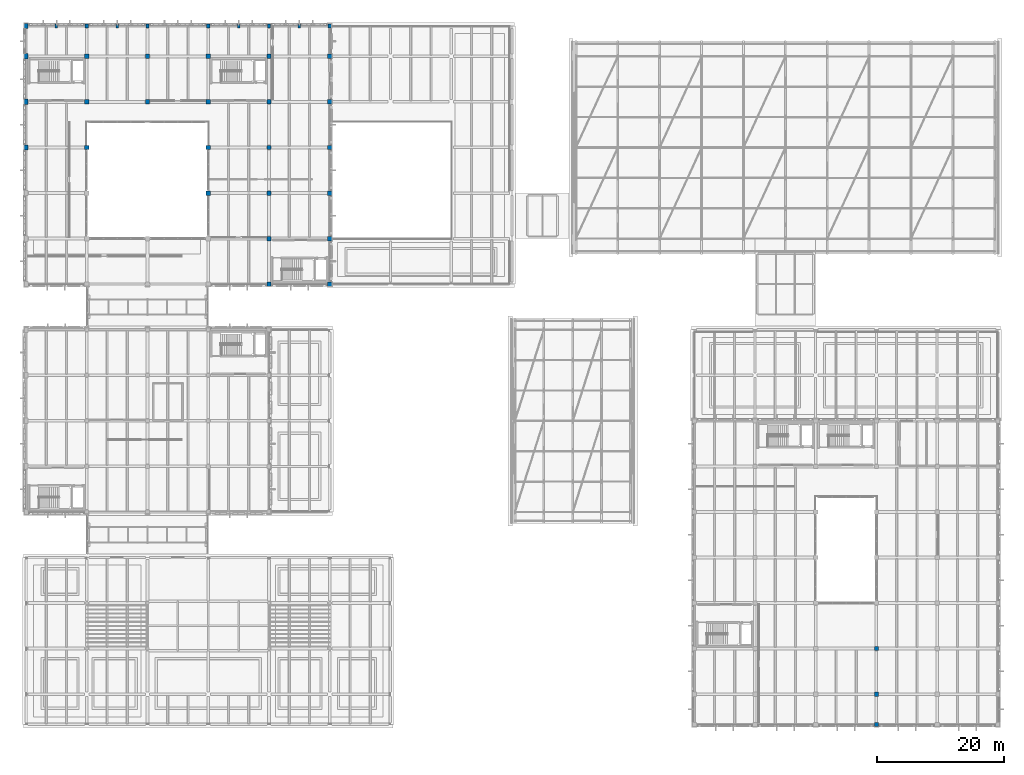
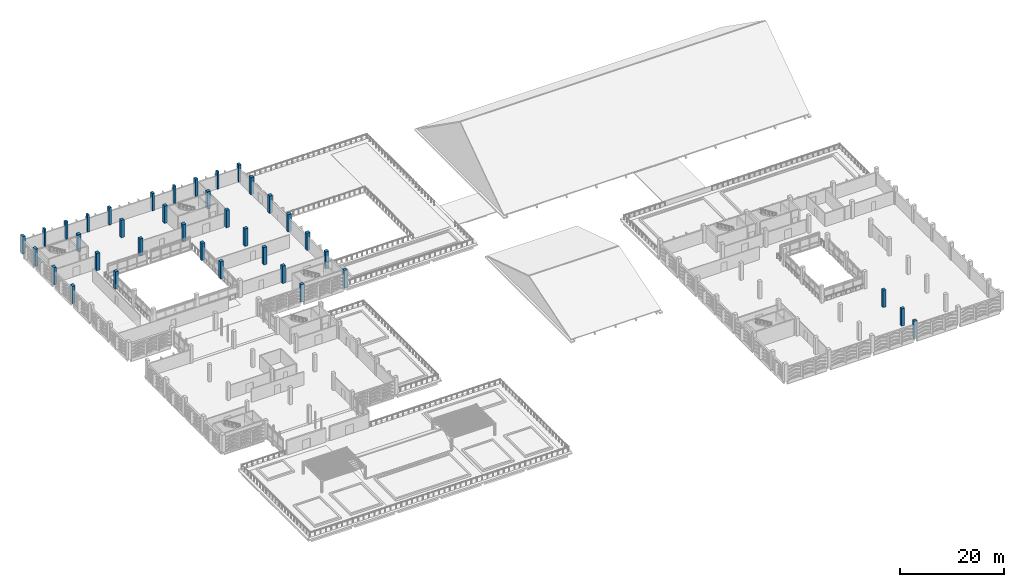
# One storey, part 4 of 134: 37 columns.
"""IFC4 building model written with IfcOpenShell, lengths in metres."""

from ifc_helpers import new_model, si_unit, direction, frame, origin, origin_2d, place, context, subcontext, project, spatial, rectangle, extrude, material, material_profile, profile_set, type_object, element, save


model = new_model("IFC4")

# Units and contexts
model_context = context("Model", 3, precision=1e-05, world=origin(), true_north=direction((0.0, 1.0)))
body_context = subcontext(model_context, "Body", "Model", "MODEL_VIEW")
ifc_project = project(units=[si_unit("LENGTHUNIT", "METRE"), si_unit("AREAUNIT", "SQUARE_METRE"), si_unit("VOLUMEUNIT", "CUBIC_METRE"), si_unit("PLANEANGLEUNIT", "RADIAN"), si_unit("MASSUNIT", "GRAM", prefix="KILO")], contexts=[model_context])

# Site, building, storey
site_placement = place(None, origin())
site = spatial("IfcSite", under=ifc_project, at=site_placement, CompositionType="ELEMENT")
building_placement = place(site_placement, origin())
building = spatial("IfcBuilding", under=site, at=building_placement, Name="Asteropetra Specialist Clinic", CompositionType="ELEMENT")
storey_placement = place(building_placement, frame((0.0, 0.0, 8.5)))
storey = spatial("IfcBuildingStorey", under=building, at=storey_placement, Name="L02", CompositionType="ELEMENT", Elevation=8.5)

# Columns
ifc_material_1 = material(Name="Concrete C35/45", Category="concrete")
ifc_material_profile_1 = material_profile(ifc_material_1, rectangle(XDim=0.5, YDim=0.699951171875, at=origin_2d()), Name="RC 500x700")
ifc_profile_set_1 = profile_set([ifc_material_profile_1], Name="Concrete C35/45")
column_type_1 = type_object("IfcColumnType", Name="COL-RC500x700", PredefinedType="COLUMN", material=ifc_profile_set_1)
for number, where, z_axis, x_axis, name in (
    (1, (9.60009765625, 110.39990234375, 0.0), (0.0, 0.0, 1.0), (1.0, 0.0, 0.0), "Column CCOL11-0157"),
    (2, (19.199951171875, 110.39990234375, 0.0), (0.0, 0.0, 1.0), (1.0, 0.0, 0.0), "Column CCOL11-0257"),
    (3, (28.800048828125, 110.39990234375, 0.0), (0.0, 0.0, 1.0), (1.0, 0.0, 0.0), "Column CCOL11-0353"),
    (4, (38.39990234375, 110.39990234375, 0.0), (0.0, 0.0, 1.0), (1.0, 0.0, 0.0), "Column CCOL11-0433"),
    (5, (48.0, 110.39990234375, 0.0), (0.0, 0.0, 1.0), (1.0, 0.0, 0.0), "Column CCOL11-0493"),
):
    element("IfcColumn", number, at=place(storey_placement, frame(where, z_axis=z_axis, x_axis=x_axis)), inside=storey, type_object=column_type_1, Name=name, PredefinedType="COLUMN", context=body_context, shape_type="SweptSolid", body=[
        extrude(rectangle(XDim=0.5, YDim=0.699951171875, at=origin_2d()), origin(), (0.0, 0.0, 1.0), 4.080078125),
    ])
ifc_material_2 = material(Name="Concrete C35/45", Category="concrete")
ifc_material_profile_2 = material_profile(ifc_material_2, rectangle(XDim=0.60009765625, YDim=0.85009765625, at=origin_2d()), Name="RC 600x850")
ifc_profile_set_2 = profile_set([ifc_material_profile_2], Name="Concrete C35/45")
column_type_2 = type_object("IfcColumnType", Name="COL-RC600x850", PredefinedType="COLUMN", material=ifc_profile_set_2)
for number, where, z_axis, x_axis, name in (
    (6, (0.0, 91.199951171875, 0.0), (0.0, 0.0, 1.0), (1.0, 0.0, 0.0), "Column CCOL09-0059"),
    (7, (0.0, 98.39990234375, 0.0), (0.0, 0.0, 1.0), (1.0, 0.0, 0.0), "Column CCOL09-0065"),
    (8, (0.0, 105.60009765625, 0.0), (0.0, 0.0, 1.0), (1.0, 0.0, 0.0), "Column CCOL09-0071"),
    (9, (0.0, 110.39990234375, 0.0), (0.0, 0.0, 1.0), (1.0, 0.0, 0.0), "Column CCOL09-0077"),
):
    element("IfcColumn", number, at=place(storey_placement, frame(where, z_axis=z_axis, x_axis=x_axis)), inside=storey, type_object=column_type_2, Name=name, PredefinedType="COLUMN", context=body_context, shape_type="SweptSolid", body=[
        extrude(rectangle(XDim=0.60009765625, YDim=0.85009765625, at=origin_2d()), origin(), (0.0, 0.0, 1.0), 4.080078125),
    ])
ifc_material_3 = material(Name="Concrete C35/45", Category="concrete")
ifc_material_profile_3 = material_profile(ifc_material_3, rectangle(XDim=0.64990234375, YDim=0.64990234375, at=origin_2d()), Name="RC 650x650")
ifc_profile_set_3 = profile_set([ifc_material_profile_3], Name="Concrete C35/45")
column_type_3 = type_object("IfcColumnType", Name="COL-RC650", PredefinedType="COLUMN", material=ifc_profile_set_3)
for number, where, z_axis, x_axis, name in (
    (10, (134.39990234375, 0.0, 0.0), (0.0, 0.0, 1.0), (1.0, 0.0, 0.0), "Column CCOL04-0798"),
    (11, (134.39990234375, 4.800048828125, 0.0), (0.0, 0.0, 1.0), (1.0, 0.0, 0.0), "Column CCOL04-0803"),
    (12, (134.39990234375, 12.0, 0.0), (0.0, 0.0, 1.0), (1.0, 0.0, 0.0), "Column CCOL04-0808"),
):
    element("IfcColumn", number, at=place(storey_placement, frame(where, z_axis=z_axis, x_axis=x_axis)), inside=storey, type_object=column_type_3, Name=name, PredefinedType="COLUMN", context=body_context, shape_type="SweptSolid", body=[
        extrude(rectangle(XDim=0.64990234375, YDim=0.64990234375, at=origin_2d()), origin(), (0.0, 0.0, 1.0), 4.080078125),
    ])
ifc_material_4 = material(Name="Concrete C35/45", Category="concrete")
ifc_material_profile_4 = material_profile(ifc_material_4, rectangle(XDim=0.699951171875, YDim=0.699951171875, at=origin_2d()), Name="RC 700x700")
ifc_profile_set_4 = profile_set([ifc_material_profile_4], Name="Concrete C35/45")
column_type_4 = type_object("IfcColumnType", Name="COL-RC700", PredefinedType="COLUMN", material=ifc_profile_set_4)
for number, where, z_axis, x_axis, name in (
    (13, (9.60009765625, 91.199951171875, 0.0), (0.0, 0.0, 1.0), (1.0, 0.0, 0.0), "Column CCOL03-0139"),
    (14, (9.60009765625, 98.39990234375, 0.0), (0.0, 0.0, 1.0), (1.0, 0.0, 0.0), "Column CCOL03-0145"),
    (15, (9.60009765625, 105.60009765625, 0.0), (0.0, 0.0, 1.0), (1.0, 0.0, 0.0), "Column CCOL03-0151"),
    (16, (19.199951171875, 98.39990234375, 0.0), (0.0, 0.0, 1.0), (1.0, 0.0, 0.0), "Column CCOL03-0245"),
    (17, (19.199951171875, 105.60009765625, 0.0), (0.0, 0.0, 1.0), (1.0, 0.0, 0.0), "Column CCOL03-0251"),
    (18, (28.800048828125, 84.0, 0.0), (0.0, 0.0, 1.0), (1.0, 0.0, 0.0), "Column CCOL03-0329"),
    (19, (28.800048828125, 91.199951171875, 0.0), (0.0, 0.0, 1.0), (1.0, 0.0, 0.0), "Column CCOL03-0335"),
    (20, (28.800048828125, 98.39990234375, 0.0), (0.0, 0.0, 1.0), (1.0, 0.0, 0.0), "Column CCOL03-0341"),
    (21, (28.800048828125, 105.60009765625, 0.0), (0.0, 0.0, 1.0), (1.0, 0.0, 0.0), "Column CCOL03-0347"),
    (22, (38.39990234375, 69.60009765625, 0.0), (0.0, 0.0, 1.0), (1.0, 0.0, 0.0), "Column CCOL03-0399"),
    (23, (38.39990234375, 76.800048828125, 0.0), (0.0, 0.0, 1.0), (1.0, 0.0, 0.0), "Column CCOL03-0403"),
    (24, (38.39990234375, 84.0, 0.0), (0.0, 0.0, 1.0), (1.0, 0.0, 0.0), "Column CCOL03-0409"),
    (25, (38.39990234375, 91.199951171875, 0.0), (0.0, 0.0, 1.0), (1.0, 0.0, 0.0), "Column CCOL03-0415"),
    (26, (38.39990234375, 98.39990234375, 0.0), (0.0, 0.0, 1.0), (1.0, 0.0, 0.0), "Column CCOL03-0421"),
    (27, (38.39990234375, 105.60009765625, 0.0), (0.0, 0.0, 1.0), (1.0, 0.0, 0.0), "Column CCOL03-0427"),
    (28, (48.0, 69.60009765625, 0.0), (0.0, 0.0, 1.0), (1.0, 0.0, 0.0), "Column CCOL03-0469"),
    (29, (48.0, 76.800048828125, 0.0), (0.0, 0.0, 1.0), (1.0, 0.0, 0.0), "Column CCOL03-0473"),
    (30, (48.0, 84.0, 0.0), (0.0, 0.0, 1.0), (1.0, 0.0, 0.0), "Column CCOL03-0477"),
    (31, (48.0, 91.199951171875, 0.0), (0.0, 0.0, 1.0), (1.0, 0.0, 0.0), "Column CCOL03-0481"),
    (32, (48.0, 98.39990234375, 0.0), (0.0, 0.0, 1.0), (1.0, 0.0, 0.0), "Column CCOL03-0485"),
    (33, (48.0, 105.60009765625, 0.0), (0.0, 0.0, 1.0), (1.0, 0.0, 0.0), "Column CCOL03-0489"),
):
    element("IfcColumn", number, at=place(storey_placement, frame(where, z_axis=z_axis, x_axis=x_axis)), inside=storey, type_object=column_type_4, Name=name, PredefinedType="COLUMN", context=body_context, shape_type="SweptSolid", body=[
        extrude(rectangle(XDim=0.699951171875, YDim=0.699951171875, at=origin_2d()), origin(), (0.0, 0.0, 1.0), 4.080078125),
    ])
ifc_material_5 = material(Name="Concrete C35/45", Category="concrete")
ifc_material_profile_5 = material_profile(ifc_material_5, rectangle(XDim=0.39990234375, YDim=0.64990234375, at=origin_2d()), Name="PIL 400x650")
ifc_profile_set_5 = profile_set([ifc_material_profile_5], Name="Concrete C35/45")
column_type_5 = type_object("IfcColumnType", Name="PIL-RC400x650", PredefinedType="PILASTER", material=ifc_profile_set_5)
for number, where, z_axis, x_axis, name in (
    (34, (4.800048828125, 110.39990234375, 0.0), (0.0, 0.0, 1.0), (1.0, 0.0, 0.0), "Neoclassical Pilaster PL-L02-01"),
    (35, (14.39990234375, 110.39990234375, 0.0), (0.0, 0.0, 1.0), (1.0, 0.0, 0.0), "Neoclassical Pilaster PL-L02-02"),
    (36, (33.60009765625, 110.39990234375, 0.0), (0.0, 0.0, 1.0), (1.0, 0.0, 0.0), "Neoclassical Pilaster PL-L02-03"),
    (37, (43.199951171875, 110.39990234375, 0.0), (0.0, 0.0, 1.0), (1.0, 0.0, 0.0), "Neoclassical Pilaster PL-L02-04"),
):
    element("IfcColumn", number, at=place(storey_placement, frame(where, z_axis=z_axis, x_axis=x_axis)), inside=storey, type_object=column_type_5, Name=name, PredefinedType="PILASTER", context=body_context, shape_type="SweptSolid", body=[
        extrude(rectangle(XDim=0.39990234375, YDim=0.64990234375, at=origin_2d()), origin(), (0.0, 0.0, 1.0), 4.080078125),
    ])

save(model, "model.ifc")
